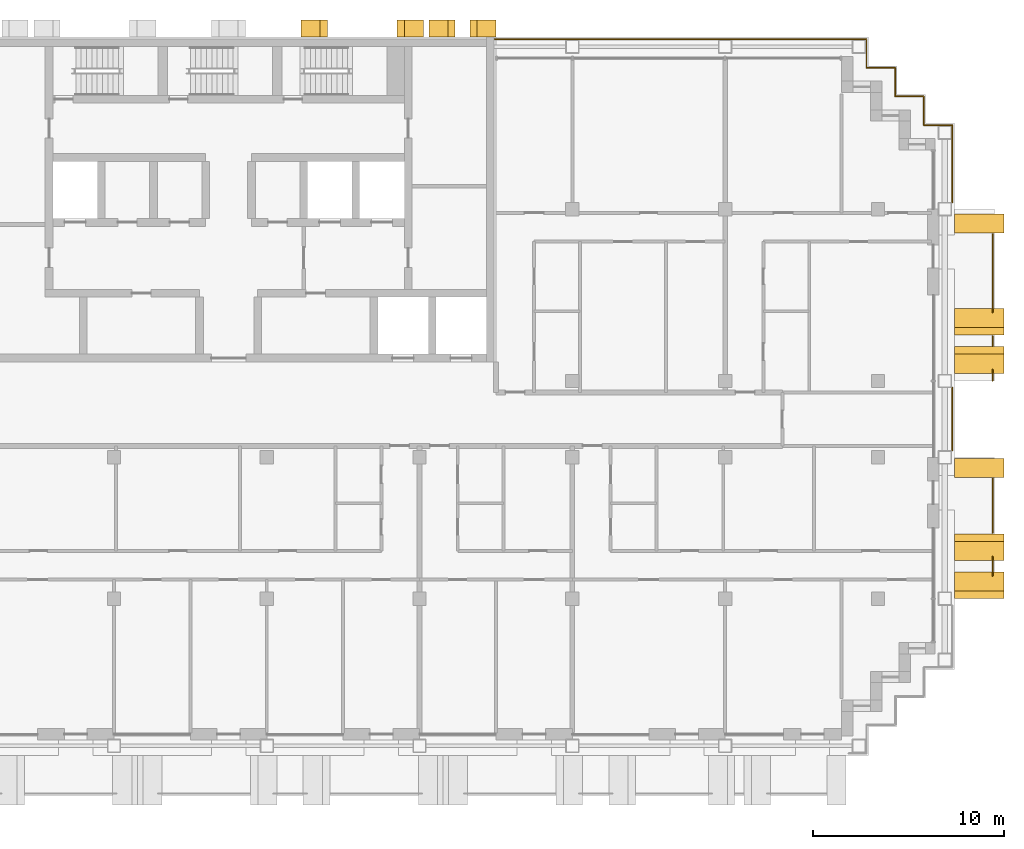
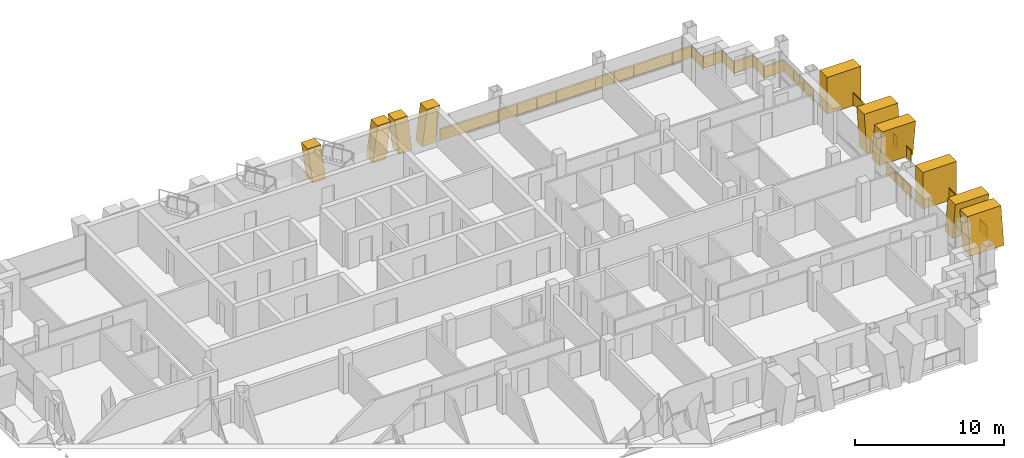
# One storey, part 16 of 16: 10 shading devices, 9 railings.
"""IFC4 building model written with IfcOpenShell, lengths in metres."""

from ifc_helpers import new_model, si_unit, direction, frame, origin, origin_2d, place, context, subcontext, project, spatial, polyline, rectangle, circle, outline, extrude, material, layer, layer_set, type_object, element, save


model = new_model("IFC4")

# Units and contexts
model_context = context("Model", 3, precision=1e-05, world=origin(), true_north=direction((0.0, 1.0)))
body_context = subcontext(model_context, "Body", "Model", "MODEL_VIEW")
ifc_project = project(units=[si_unit("LENGTHUNIT", "METRE"), si_unit("AREAUNIT", "SQUARE_METRE"), si_unit("VOLUMEUNIT", "CUBIC_METRE"), si_unit("PLANEANGLEUNIT", "RADIAN"), si_unit("MASSUNIT", "GRAM", prefix="KILO")], contexts=[model_context])

# Site, building, storey
site_placement = place(None, origin())
site = spatial("IfcSite", under=ifc_project, at=site_placement, CompositionType="ELEMENT")
building_placement = place(site_placement, origin())
building = spatial("IfcBuilding", under=site, at=building_placement, Name="Vidyagriha Tower", CompositionType="ELEMENT")
storey_placement = place(building_placement, frame((0.0, 0.0, 184.5)))
storey = spatial("IfcBuildingStorey", under=building, at=storey_placement, Name="L48", CompositionType="ELEMENT", Elevation=184.5)

# Railings
ifc_material_1 = material(Name="Steel ASTM A500 Grade C black painted", Category="steel")
railing_type_1 = type_object("IfcRailingType", Name="Balcony guard 1100", PredefinedType="BALUSTRADE", material=ifc_material_1)
railing_1_placement = place(storey_placement, frame((40.0, -8.19677734375, 0.0)))
element("IfcRailing", 1, at=railing_1_placement, inside=storey, type_object=railing_type_1, Name="Balcony guard L48 R30.1-1", PredefinedType="BALUSTRADE", context=body_context, shape_type="SweptSolid", body=[
    extrude(circle(Radius=0.02490234375, at=origin_2d()), frame((0.0, 0.0, 1.0751953125), z_axis=(0.0, 1.0, 0.0), x_axis=(-1.0, 0.0, 0.0)), (0.0, 0.0, 1.0), 0.993408203125),
    extrude(circle(Radius=0.02001953125, at=origin_2d()), origin(), (0.0, 0.0, 1.0), 1.050048828125),
    extrude(circle(Radius=0.02001953125, at=origin_2d()), frame((0.0, 0.993408203125, 0.0)), (0.0, 0.0, 1.0), 1.050048828125),
    extrude(rectangle(XDim=0.010009765625, YDim=0.900146484375, at=origin_2d()), frame((0.0, 0.0, 0.550048828125), z_axis=(0.0, 1.0, 0.0), x_axis=(-1.0, 0.0, 0.0)), (0.0, 0.0, 1.0), 0.993408203125),
])
railing_2_placement = place(storey_placement, frame((40.0, -5.949951171875, 0.0)))
element("IfcRailing", 2, at=railing_2_placement, inside=storey, type_object=railing_type_1, Name="Balcony guard L48 R30.1-2", PredefinedType="BALUSTRADE", context=body_context, shape_type="SweptSolid", body=[
    extrude(circle(Radius=0.02490234375, at=origin_2d()), frame((0.0, 0.0, 1.0751953125), z_axis=(0.0, 1.0, 0.0), x_axis=(-1.0, 0.0, 0.0)), (0.0, 0.0, 1.0), 2.849853515625),
    extrude(circle(Radius=0.02001953125, at=origin_2d()), origin(), (0.0, 0.0, 1.0), 1.050048828125),
    extrude(circle(Radius=0.02001953125, at=origin_2d()), frame((0.0, 0.949951171875, 0.0)), (0.0, 0.0, 1.0), 1.050048828125),
    extrude(circle(Radius=0.02001953125, at=origin_2d()), frame((0.0, 1.89990234375, 0.0)), (0.0, 0.0, 1.0), 1.050048828125),
    extrude(circle(Radius=0.02001953125, at=origin_2d()), frame((0.0, 2.849853515625, 0.0)), (0.0, 0.0, 1.0), 1.050048828125),
    extrude(rectangle(XDim=0.010009765625, YDim=0.900146484375, at=origin_2d()), frame((0.0, 0.0, 0.550048828125), z_axis=(0.0, 1.0, 0.0), x_axis=(-1.0, 0.0, 0.0)), (0.0, 0.0, 1.0), 2.849853515625),
])
railing_3_placement = place(storey_placement, frame((40.0, 2.0, 0.0)))
element("IfcRailing", 3, at=railing_3_placement, inside=storey, type_object=railing_type_1, Name="Balcony guard L48 R30.2-1", PredefinedType="BALUSTRADE", context=body_context, shape_type="SweptSolid", body=[
    extrude(circle(Radius=0.02490234375, at=origin_2d()), frame((0.0, 0.0, 1.0751953125), z_axis=(0.0, 1.0, 0.0), x_axis=(-1.0, 0.0, 0.0)), (0.0, 0.0, 1.0), 0.5966796875),
    extrude(circle(Radius=0.02001953125, at=origin_2d()), origin(), (0.0, 0.0, 1.0), 1.050048828125),
    extrude(circle(Radius=0.02001953125, at=origin_2d()), frame((0.0, 0.5966796875, 0.0)), (0.0, 0.0, 1.0), 1.050048828125),
    extrude(rectangle(XDim=0.010009765625, YDim=0.900146484375, at=origin_2d()), frame((0.0, 0.0, 0.550048828125), z_axis=(0.0, 1.0, 0.0), x_axis=(-1.0, 0.0, 0.0)), (0.0, 0.0, 1.0), 0.5966796875),
])
railing_4_placement = place(storey_placement, frame((40.0, 3.85009765625, 0.0)))
element("IfcRailing", 4, at=railing_4_placement, inside=storey, type_object=railing_type_1, Name="Balcony guard L48 R30.2-2", PredefinedType="BALUSTRADE", context=body_context, shape_type="SweptSolid", body=[
    extrude(circle(Radius=0.02490234375, at=origin_2d()), frame((0.0, 0.0, 1.0751953125), z_axis=(0.0, 1.0, 0.0), x_axis=(-1.0, 0.0, 0.0)), (0.0, 0.0, 1.0), 0.5),
    extrude(circle(Radius=0.02001953125, at=origin_2d()), origin(), (0.0, 0.0, 1.0), 1.050048828125),
    extrude(circle(Radius=0.02001953125, at=origin_2d()), frame((0.0, 0.5, 0.0)), (0.0, 0.0, 1.0), 1.050048828125),
    extrude(rectangle(XDim=0.010009765625, YDim=0.900146484375, at=origin_2d()), frame((0.0, 0.0, 0.550048828125), z_axis=(0.0, 1.0, 0.0), x_axis=(-1.0, 0.0, 0.0)), (0.0, 0.0, 1.0), 0.5),
])
railing_5_placement = place(storey_placement, frame((40.0, 5.603271484375, 0.0)))
element("IfcRailing", 5, at=railing_5_placement, inside=storey, type_object=railing_type_1, Name="Balcony guard L48 R30.2-3", PredefinedType="BALUSTRADE", context=body_context, shape_type="SweptSolid", body=[
    extrude(circle(Radius=0.02490234375, at=origin_2d()), frame((0.0, 0.0, 1.0751953125), z_axis=(0.0, 1.0, 0.0), x_axis=(-1.0, 0.0, 0.0)), (0.0, 0.0, 1.0), 4.0966796875),
    extrude(circle(Radius=0.02001953125, at=origin_2d()), origin(), (0.0, 0.0, 1.0), 1.050048828125),
    extrude(circle(Radius=0.02001953125, at=origin_2d()), frame((0.0, 1.024169921875, 0.0)), (0.0, 0.0, 1.0), 1.050048828125),
    extrude(circle(Radius=0.02001953125, at=origin_2d()), frame((0.0, 2.04833984375, 0.0)), (0.0, 0.0, 1.0), 1.050048828125),
    extrude(circle(Radius=0.02001953125, at=origin_2d()), frame((0.0, 3.072509765625, 0.0)), (0.0, 0.0, 1.0), 1.050048828125),
    extrude(circle(Radius=0.02001953125, at=origin_2d()), frame((0.0, 4.0966796875, 0.0)), (0.0, 0.0, 1.0), 1.050048828125),
    extrude(rectangle(XDim=0.010009765625, YDim=0.900146484375, at=origin_2d()), frame((0.0, 0.0, 0.550048828125), z_axis=(0.0, 1.0, 0.0), x_axis=(-1.0, 0.0, 0.0)), (0.0, 0.0, 1.0), 4.0966796875),
])

# Shading devices
ifc_material_2 = material(Name="Precast concrete C40/50 with buff brick facing", Category="concrete")
ifc_layer_1 = layer(ifc_material_2, 1.0)
ifc_layer_set_1 = layer_set([ifc_layer_1], Name="Precast concrete C40/50 with buff brick facing")
shading_device_type_1 = type_object("IfcShadingDeviceType", Name="Brick-faced blade fin arm leaning 8 degrees", PredefinedType="USERDEFINED", material=ifc_layer_set_1)
shading_device_1_placement = place(storey_placement, frame((39.300048828125, -7.39990234375, 0.0), z_axis=(0.0, 0.0, 1.0), x_axis=(0.0, 1.0, 0.0)))
element("IfcShadingDevice", 6, at=shading_device_1_placement, inside=storey, type_object=shading_device_type_1, Name="Leaning blade fin L48 R30.230a", ObjectType="BLADE FIN", PredefinedType="USERDEFINED", context=body_context, shape_type="SweptSolid", body=[
    extrude(outline(polyline([(0.39990234375, 0.0), (1.39990234375, 0.0), (1.0, 3.0), (0.0, 3.0), (0.39990234375, 0.0)])), frame((0.0, 1.300048828125, 0.0), z_axis=(0.0, -1.0, 0.0), x_axis=(1.0, 0.0, 0.0)), (0.0, 0.0, 1.0), 2.60009765625),
])
for number, where, z_axis, x_axis, name in (
    (7, (39.300048828125, -9.39990234375, 0.0), (0.0, 0.0, 1.0), (0.0, 1.0, 0.0), "Leaning blade fin L48 R30.230b"),
    (8, (39.300048828125, 4.39990234375, 0.0), (0.0, 0.0, 1.0), (0.0, 1.0, 0.0), "Leaning blade fin L48 R30.1370a"),
):
    element("IfcShadingDevice", number, at=place(storey_placement, frame(where, z_axis=z_axis, x_axis=x_axis)), inside=storey, type_object=shading_device_type_1, Name=name, ObjectType="BLADE FIN", PredefinedType="USERDEFINED", context=body_context, shape_type="SweptSolid", body=[
        extrude(outline(polyline([(0.0, 0.0), (1.0, 0.0), (1.39990234375, 3.0), (0.39990234375, 3.0), (0.0, 0.0)])), frame((0.0, 1.300048828125, 0.0), z_axis=(0.0, -1.0, 0.0), x_axis=(1.0, 0.0, 0.0)), (0.0, 0.0, 1.0), 2.60009765625),
    ])
shading_device_2_placement = place(storey_placement, frame((39.300048828125, 2.39990234375, 0.0), z_axis=(0.0, 0.0, 1.0), x_axis=(0.0, 1.0, 0.0)))
element("IfcShadingDevice", 9, at=shading_device_2_placement, inside=storey, type_object=shading_device_type_1, Name="Leaning blade fin L48 R30.1370b", ObjectType="BLADE FIN", PredefinedType="USERDEFINED", context=body_context, shape_type="SweptSolid", body=[
    extrude(outline(polyline([(0.39990234375, 0.0), (1.39990234375, 0.0), (1.0, 3.0), (0.0, 3.0), (0.39990234375, 0.0)])), frame((0.0, 1.300048828125, 0.0), z_axis=(0.0, -1.0, 0.0), x_axis=(1.0, 0.0, 0.0)), (0.0, 0.0, 1.0), 2.60009765625),
])
ifc_material_3 = material(Name="Precast concrete C40/50 with buff brick facing", Category="concrete")
ifc_layer_2 = layer(ifc_material_3, 1.0)
ifc_layer_set_2 = layer_set([ifc_layer_2], Name="Precast concrete C40/50 with buff brick facing")
shading_device_type_2 = type_object("IfcShadingDeviceType", Name="Brick-faced blade fin stem 1000", PredefinedType="USERDEFINED", material=ifc_layer_set_2)
for number, where, z_axis, x_axis, name in (
    (10, (39.300048828125, -3.050048828125, 0.0), (0.0, 0.0, 1.0), (0.0, 1.0, 0.0), "Stem blade fin L48 R30.970a"),
    (11, (39.300048828125, 9.75, 0.0), (0.0, 0.0, 1.0), (0.0, 1.0, 0.0), "Stem blade fin L48 R30.2270a"),
):
    element("IfcShadingDevice", number, at=place(storey_placement, frame(where, z_axis=z_axis, x_axis=x_axis)), inside=storey, type_object=shading_device_type_2, Name=name, ObjectType="BLADE FIN", PredefinedType="USERDEFINED", context=body_context, shape_type="SweptSolid", body=[
        extrude(outline(polyline([(0.0, 0.0), (1.0, 0.0), (1.0, 3.0), (0.0, 3.0), (0.0, 0.0)])), frame((0.0, 1.300048828125, 0.0), z_axis=(0.0, -1.0, 0.0), x_axis=(1.0, 0.0, 0.0)), (0.0, 0.0, 1.0), 2.60009765625),
    ])
ifc_material_4 = material(Name="Precast concrete C40/50 with brick facing", Category="concrete")
ifc_layer_3 = layer(ifc_material_4, 1.0)
ifc_layer_set_3 = layer_set([ifc_layer_3], Name="Precast concrete C40/50 with brick facing")
shading_device_type_3 = type_object("IfcShadingDeviceType", Name="Brick-faced rear rib arm leaning 8 degrees", PredefinedType="USERDEFINED", material=ifc_layer_set_3)
shading_device_3_placement = place(storey_placement, frame((11.857177734375, 20.449951171875, 0.0), z_axis=(0.0, 0.0, 1.0), x_axis=(-1.0, 0.0, 0.0)))
element("IfcShadingDevice", 12, at=shading_device_3_placement, inside=storey, type_object=shading_device_type_3, Name="Rear rib arm L48 R08.1a", ObjectType="BLADE FIN", PredefinedType="USERDEFINED", context=body_context, shape_type="SweptSolid", body=[
    extrude(outline(polyline([(0.0, 0.0), (1.0, 0.0), (1.357177734375, 2.919921875), (0.357177734375, 2.919921875), (0.0, 0.0)])), frame((0.0, 0.449951171875, 0.0), z_axis=(0.0, -1.0, 0.0), x_axis=(1.0, 0.0, 0.0)), (0.0, 0.0, 1.0), 0.89990234375),
])
shading_device_4_placement = place(storey_placement, frame((14.0, 20.449951171875, 0.0), z_axis=(0.0, 0.0, 1.0), x_axis=(-1.0, 0.0, 0.0)))
element("IfcShadingDevice", 13, at=shading_device_4_placement, inside=storey, type_object=shading_device_type_3, Name="Rear rib arm L48 R08.1b", ObjectType="BLADE FIN", PredefinedType="USERDEFINED", context=body_context, shape_type="SweptSolid", body=[
    extrude(outline(polyline([(0.357177734375, 0.0), (1.357177734375, 0.0), (1.0, 2.919921875), (0.0, 2.919921875), (0.357177734375, 0.0)])), frame((0.0, 0.449951171875, 0.0), z_axis=(0.0, -1.0, 0.0), x_axis=(1.0, 0.0, 0.0)), (0.0, 0.0, 1.0), 0.89990234375),
])
shading_device_5_placement = place(storey_placement, frame((5.185791015625, 20.449951171875, 0.0), z_axis=(0.0, 0.0, 1.0), x_axis=(-1.0, 0.0, 0.0)))
element("IfcShadingDevice", 14, at=shading_device_5_placement, inside=storey, type_object=shading_device_type_3, Name="Rear rib arm L48 R08.2a", ObjectType="BLADE FIN", PredefinedType="USERDEFINED", context=body_context, shape_type="SweptSolid", body=[
    extrude(outline(polyline([(0.0, 0.0), (1.0, 0.0), (1.3857421875, 2.919921875), (0.3857421875, 2.919921875), (0.0, 0.0)])), frame((0.0, 0.449951171875, 0.0), z_axis=(0.0, -1.0, 0.0), x_axis=(1.0, 0.0, 0.0)), (0.0, 0.0, 1.0), 0.89990234375),
])
shading_device_6_placement = place(storey_placement, frame((10.199951171875, 20.449951171875, 0.0), z_axis=(0.0, 0.0, 1.0), x_axis=(-1.0, 0.0, 0.0)))
element("IfcShadingDevice", 15, at=shading_device_6_placement, inside=storey, type_object=shading_device_type_3, Name="Rear rib arm L48 R08.2b", ObjectType="BLADE FIN", PredefinedType="USERDEFINED", context=body_context, shape_type="SweptSolid", body=[
    extrude(outline(polyline([(0.3857421875, 0.0), (1.3857421875, 0.0), (1.0, 2.919921875), (0.0, 2.919921875), (0.3857421875, 0.0)])), frame((0.0, 0.449951171875, 0.0), z_axis=(0.0, -1.0, 0.0), x_axis=(1.0, 0.0, 0.0)), (0.0, 0.0, 1.0), 0.89990234375),
])

# Railings
ifc_material_5 = material(Name="Steel ASTM A500 Grade C black painted", Category="steel")
railing_type_2 = type_object("IfcRailingType", Name="Gallery guard 1100", PredefinedType="GUARDRAIL", material=ifc_material_5)
railing_6_placement = place(storey_placement, frame((13.929931640625, 19.89990234375, 0.0)))
element("IfcRailing", 16, at=railing_6_placement, inside=storey, type_object=railing_type_2, Name="Gallery guard L48 6", PredefinedType="GUARDRAIL", context=body_context, shape_type="SweptSolid", body=[
    extrude(circle(Radius=0.02490234375, at=origin_2d()), frame((0.0, 0.0, 1.0751953125), z_axis=(1.0, 0.0, 0.0), x_axis=(0.0, 1.0, 0.0)), (0.0, 0.0, 1.0), 12.0),
    extrude(circle(Radius=0.02001953125, at=origin_2d()), origin(), (0.0, 0.0, 1.0), 1.050048828125),
    extrude(circle(Radius=0.02001953125, at=origin_2d()), frame((1.5, 0.0, 0.0)), (0.0, 0.0, 1.0), 1.050048828125),
    extrude(circle(Radius=0.02001953125, at=origin_2d()), frame((3.0, 0.0, 0.0)), (0.0, 0.0, 1.0), 1.050048828125),
    extrude(circle(Radius=0.02001953125, at=origin_2d()), frame((4.5, 0.0, 0.0)), (0.0, 0.0, 1.0), 1.050048828125),
    extrude(circle(Radius=0.02001953125, at=origin_2d()), frame((6.0, 0.0, 0.0)), (0.0, 0.0, 1.0), 1.050048828125),
    extrude(circle(Radius=0.02001953125, at=origin_2d()), frame((7.5, 0.0, 0.0)), (0.0, 0.0, 1.0), 1.050048828125),
    extrude(circle(Radius=0.02001953125, at=origin_2d()), frame((9.0, 0.0, 0.0)), (0.0, 0.0, 1.0), 1.050048828125),
    extrude(circle(Radius=0.02001953125, at=origin_2d()), frame((10.5, 0.0, 0.0)), (0.0, 0.0, 1.0), 1.050048828125),
    extrude(circle(Radius=0.02001953125, at=origin_2d()), frame((12.0, 0.0, 0.0)), (0.0, 0.0, 1.0), 1.050048828125),
    extrude(rectangle(XDim=0.010009765625, YDim=0.900146484375, at=origin_2d()), frame((0.0, 0.0, 0.550048828125), z_axis=(1.0, 0.0, 0.0), x_axis=(0.0, 1.0, 0.0)), (0.0, 0.0, 1.0), 12.0),
])
railing_7_placement = place(storey_placement, frame((25.929931640625, 19.89990234375, 0.0)))
element("IfcRailing", 17, at=railing_7_placement, inside=storey, type_object=railing_type_2, Name="Gallery guard L48 7", PredefinedType="GUARDRAIL", context=body_context, shape_type="SweptSolid", body=[
    extrude(circle(Radius=0.02490234375, at=origin_2d()), frame((0.0, 0.0, 1.0751953125), z_axis=(1.0, 0.0, 0.0), x_axis=(0.0, 1.0, 0.0)), (0.0, 0.0, 1.0), 7.469970703125),
    extrude(circle(Radius=0.02490234375, at=origin_2d()), frame((7.469970703125, 0.0, 1.0751953125), z_axis=(0.0, -1.0, 0.0), x_axis=(1.0, 0.0, 0.0)), (0.0, 0.0, 1.0), 1.5),
    extrude(circle(Radius=0.02490234375, at=origin_2d()), frame((7.469970703125, -1.5, 1.0751953125), z_axis=(1.0, 0.0, 0.0), x_axis=(0.0, 1.0, 0.0)), (0.0, 0.0, 1.0), 1.5),
    extrude(circle(Radius=0.02490234375, at=origin_2d()), frame((8.969970703125, -1.5, 1.0751953125), z_axis=(0.0, -1.0, 0.0), x_axis=(1.0, 0.0, 0.0)), (0.0, 0.0, 1.0), 1.5),
    extrude(circle(Radius=0.02490234375, at=origin_2d()), frame((8.969970703125, -3.0, 1.0751953125), z_axis=(1.0, 0.0, 0.0), x_axis=(0.0, 1.0, 0.0)), (0.0, 0.0, 1.0), 0.030029296875),
    extrude(circle(Radius=0.02001953125, at=origin_2d()), origin(), (0.0, 0.0, 1.0), 1.050048828125),
    extrude(circle(Radius=0.02001953125, at=origin_2d()), frame((1.493896484375, 0.0, 0.0)), (0.0, 0.0, 1.0), 1.050048828125),
    extrude(circle(Radius=0.02001953125, at=origin_2d()), frame((2.988037109375, 0.0, 0.0)), (0.0, 0.0, 1.0), 1.050048828125),
    extrude(circle(Radius=0.02001953125, at=origin_2d()), frame((4.48193359375, 0.0, 0.0)), (0.0, 0.0, 1.0), 1.050048828125),
    extrude(circle(Radius=0.02001953125, at=origin_2d()), frame((5.97607421875, 0.0, 0.0)), (0.0, 0.0, 1.0), 1.050048828125),
    extrude(circle(Radius=0.02001953125, at=origin_2d()), frame((7.469970703125, 0.0, 0.0)), (0.0, 0.0, 1.0), 1.050048828125),
    extrude(circle(Radius=0.02001953125, at=origin_2d()), frame((7.469970703125, -1.5, 0.0)), (0.0, 0.0, 1.0), 1.050048828125),
    extrude(circle(Radius=0.02001953125, at=origin_2d()), frame((8.969970703125, -1.5, 0.0)), (0.0, 0.0, 1.0), 1.050048828125),
    extrude(circle(Radius=0.02001953125, at=origin_2d()), frame((8.969970703125, -3.0, 0.0)), (0.0, 0.0, 1.0), 1.050048828125),
    extrude(circle(Radius=0.02001953125, at=origin_2d()), frame((9.0, -3.0, 0.0)), (0.0, 0.0, 1.0), 1.050048828125),
    extrude(rectangle(XDim=0.010009765625, YDim=0.900146484375, at=origin_2d()), frame((0.0, 0.0, 0.550048828125), z_axis=(1.0, 0.0, 0.0), x_axis=(0.0, 1.0, 0.0)), (0.0, 0.0, 1.0), 7.469970703125),
    extrude(rectangle(XDim=0.010009765625, YDim=0.900146484375, at=origin_2d()), frame((7.469970703125, 0.0, 0.550048828125), z_axis=(0.0, -1.0, 0.0), x_axis=(1.0, 0.0, 0.0)), (0.0, 0.0, 1.0), 1.5),
    extrude(rectangle(XDim=0.010009765625, YDim=0.900146484375, at=origin_2d()), frame((7.469970703125, -1.5, 0.550048828125), z_axis=(1.0, 0.0, 0.0), x_axis=(0.0, 1.0, 0.0)), (0.0, 0.0, 1.0), 1.5),
    extrude(rectangle(XDim=0.010009765625, YDim=0.900146484375, at=origin_2d()), frame((8.969970703125, -1.5, 0.550048828125), z_axis=(0.0, -1.0, 0.0), x_axis=(1.0, 0.0, 0.0)), (0.0, 0.0, 1.0), 1.5),
    extrude(rectangle(XDim=0.010009765625, YDim=0.900146484375, at=origin_2d()), frame((8.969970703125, -3.0, 0.550048828125), z_axis=(1.0, 0.0, 0.0), x_axis=(0.0, 1.0, 0.0)), (0.0, 0.0, 1.0), 0.030029296875),
])
railing_8_placement = place(storey_placement, frame((34.929931640625, 16.89990234375, 0.0)))
element("IfcRailing", 18, at=railing_8_placement, inside=storey, type_object=railing_type_2, Name="Gallery guard L48 8", PredefinedType="GUARDRAIL", context=body_context, shape_type="SweptSolid", body=[
    extrude(circle(Radius=0.02490234375, at=origin_2d()), frame((0.0, 0.0, 1.0751953125), z_axis=(1.0, 0.0, 0.0), x_axis=(0.0, 1.0, 0.0)), (0.0, 0.0, 1.0), 1.469970703125),
    extrude(circle(Radius=0.02490234375, at=origin_2d()), frame((1.469970703125, 0.0, 1.0751953125), z_axis=(0.0, -1.0, 0.0), x_axis=(1.0, 0.0, 0.0)), (0.0, 0.0, 1.0), 1.5),
    extrude(circle(Radius=0.02490234375, at=origin_2d()), frame((1.469970703125, -1.5, 1.0751953125), z_axis=(1.0, 0.0, 0.0), x_axis=(0.0, 1.0, 0.0)), (0.0, 0.0, 1.0), 1.5),
    extrude(circle(Radius=0.02490234375, at=origin_2d()), frame((2.969970703125, -1.5, 1.0751953125), z_axis=(0.0, -1.0, 0.0), x_axis=(1.0, 0.0, 0.0)), (0.0, 0.0, 1.0), 4.039794921875),
    extrude(circle(Radius=0.02001953125, at=origin_2d()), origin(), (0.0, 0.0, 1.0), 1.050048828125),
    extrude(circle(Radius=0.02001953125, at=origin_2d()), frame((1.469970703125, 0.0, 0.0)), (0.0, 0.0, 1.0), 1.050048828125),
    extrude(circle(Radius=0.02001953125, at=origin_2d()), frame((1.469970703125, -1.5, 0.0)), (0.0, 0.0, 1.0), 1.050048828125),
    extrude(circle(Radius=0.02001953125, at=origin_2d()), frame((2.969970703125, -1.5, 0.0)), (0.0, 0.0, 1.0), 1.050048828125),
    extrude(circle(Radius=0.02001953125, at=origin_2d()), frame((2.969970703125, -2.8466796875, 0.0)), (0.0, 0.0, 1.0), 1.050048828125),
    extrude(circle(Radius=0.02001953125, at=origin_2d()), frame((2.969970703125, -4.193115234375, 0.0)), (0.0, 0.0, 1.0), 1.050048828125),
    extrude(circle(Radius=0.02001953125, at=origin_2d()), frame((2.969970703125, -5.539794921875, 0.0)), (0.0, 0.0, 1.0), 1.050048828125),
    extrude(rectangle(XDim=0.010009765625, YDim=0.900146484375, at=origin_2d()), frame((0.0, 0.0, 0.550048828125), z_axis=(1.0, 0.0, 0.0), x_axis=(0.0, 1.0, 0.0)), (0.0, 0.0, 1.0), 1.469970703125),
    extrude(rectangle(XDim=0.010009765625, YDim=0.900146484375, at=origin_2d()), frame((1.469970703125, 0.0, 0.550048828125), z_axis=(0.0, -1.0, 0.0), x_axis=(1.0, 0.0, 0.0)), (0.0, 0.0, 1.0), 1.5),
    extrude(rectangle(XDim=0.010009765625, YDim=0.900146484375, at=origin_2d()), frame((1.469970703125, -1.5, 0.550048828125), z_axis=(1.0, 0.0, 0.0), x_axis=(0.0, 1.0, 0.0)), (0.0, 0.0, 1.0), 1.5),
    extrude(rectangle(XDim=0.010009765625, YDim=0.900146484375, at=origin_2d()), frame((2.969970703125, -1.5, 0.550048828125), z_axis=(0.0, -1.0, 0.0), x_axis=(1.0, 0.0, 0.0)), (0.0, 0.0, 1.0), 4.039794921875),
])
railing_9_placement = place(storey_placement, frame((37.89990234375, 1.639892578125, 0.0)))
element("IfcRailing", 19, at=railing_9_placement, inside=storey, type_object=railing_type_2, Name="Gallery guard L48 11", PredefinedType="GUARDRAIL", context=body_context, shape_type="SweptSolid", body=[
    extrude(circle(Radius=0.02490234375, at=origin_2d()), frame((0.0, 0.0, 1.0751953125), z_axis=(0.0, -1.0, 0.0), x_axis=(1.0, 0.0, 0.0)), (0.0, 0.0, 1.0), 3.27978515625),
    extrude(circle(Radius=0.02001953125, at=origin_2d()), origin(), (0.0, 0.0, 1.0), 1.050048828125),
    extrude(circle(Radius=0.02001953125, at=origin_2d()), frame((0.0, -1.09326171875, 0.0)), (0.0, 0.0, 1.0), 1.050048828125),
    extrude(circle(Radius=0.02001953125, at=origin_2d()), frame((0.0, -2.1865234375, 0.0)), (0.0, 0.0, 1.0), 1.050048828125),
    extrude(circle(Radius=0.02001953125, at=origin_2d()), frame((0.0, -3.27978515625, 0.0)), (0.0, 0.0, 1.0), 1.050048828125),
    extrude(rectangle(XDim=0.010009765625, YDim=0.900146484375, at=origin_2d()), frame((0.0, 0.0, 0.550048828125), z_axis=(0.0, -1.0, 0.0), x_axis=(1.0, 0.0, 0.0)), (0.0, 0.0, 1.0), 3.27978515625),
])

save(model, "model.ifc")
